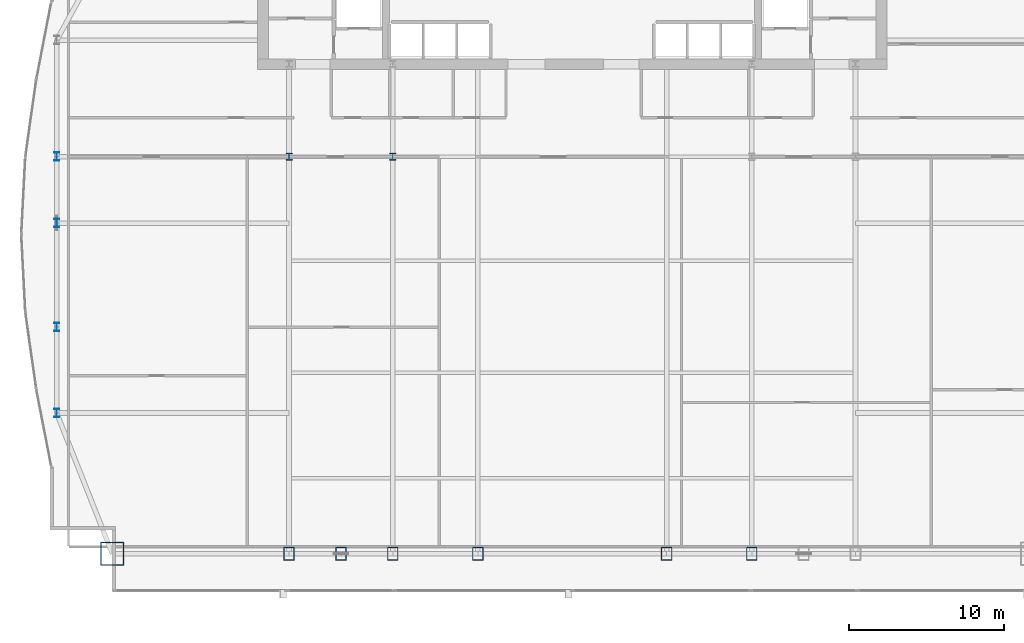
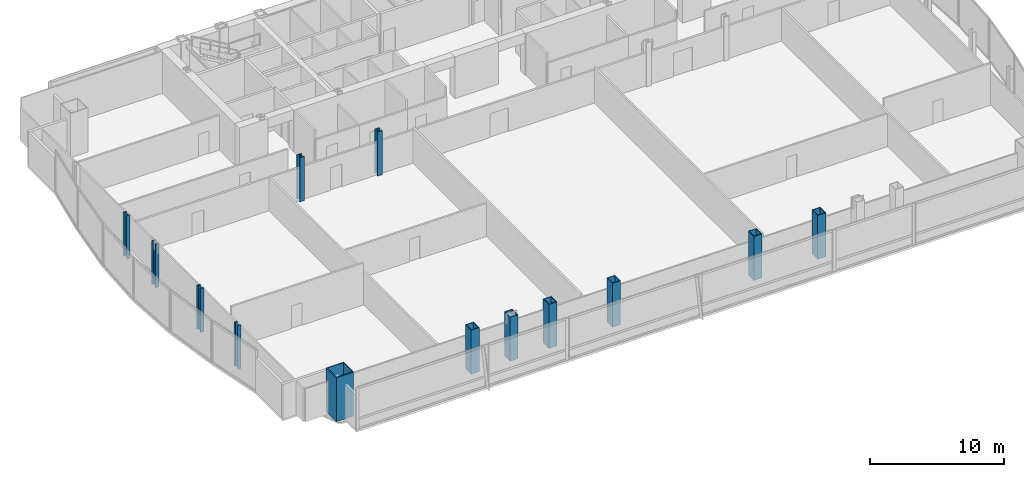
# One storey, part 1 of 34: 13 columns.
"""IFC4 building model written with IfcOpenShell, lengths in metres."""

from ifc_helpers import new_model, si_unit, direction, frame, origin, origin_2d, place, context, subcontext, project, spatial, hollow_rectangle, i_section, extrude, material, material_profile, profile_set, type_object, element, save


model = new_model("IFC4")

# Units and contexts
model_context = context("Model", 3, precision=1e-05, world=origin(), true_north=direction((0.0, 1.0)))
body_context = subcontext(model_context, "Body", "Model", "MODEL_VIEW")
ifc_project = project(units=[si_unit("LENGTHUNIT", "METRE"), si_unit("AREAUNIT", "SQUARE_METRE"), si_unit("VOLUMEUNIT", "CUBIC_METRE"), si_unit("PLANEANGLEUNIT", "RADIAN"), si_unit("MASSUNIT", "GRAM", prefix="KILO")], contexts=[model_context])

# Site, building, storey
site_placement = place(None, origin())
site = spatial("IfcSite", under=ifc_project, at=site_placement, CompositionType="ELEMENT")
building_placement = place(site_placement, origin())
building = spatial("IfcBuilding", under=site, at=building_placement, Name="Khoronbel Lancet Exchange", CompositionType="ELEMENT")
storey_placement = place(building_placement, frame((0.0, 0.0, 102.60009765625)))
storey = spatial("IfcBuildingStorey", under=building, at=storey_placement, Name="L24", CompositionType="ELEMENT", Elevation=102.60009765625)

# Columns
ifc_material_1 = material(Name="Steel S460", Category="steel")
ifc_material_profile_1 = material_profile(ifc_material_1, hollow_rectangle(XDim=0.699951171875, YDim=0.85009765625, WallThickness=0.050048828125, at=origin_2d()), Name="BOX 850x700x50")
ifc_profile_set_1 = profile_set([ifc_material_profile_1], Name="Steel S460")
column_type_1 = type_object("IfcColumnType", Name="COL-EC2", PredefinedType="COLUMN", material=ifc_profile_set_1)
for number, where, z_axis, x_axis, name in (
    (1, (18.22509765625, 10.14990234375, 0.0), (0.0, 0.0, 1.0), (1.0, 0.0, 0.0), "Structural column SC-W1 L24"),
    (2, (21.5625, 10.14990234375, 0.0), (0.0, 0.0, 1.0), (1.0, 0.0, 0.0), "Structural column SC-WM L24"),
    (3, (24.89990234375, 10.14990234375, 0.0), (0.0, 0.0, 1.0), (1.0, 0.0, 0.0), "Structural column SC-W2 L24"),
    (4, (30.375, 10.14990234375, 0.0), (0.0, 0.0, 1.0), (1.0, 0.0, 0.0), "Structural column SC-C1 L24"),
    (5, (42.52490234375, 10.14990234375, 0.0), (0.0, 0.0, 1.0), (1.0, 0.0, 0.0), "Structural column SC-C2 L24"),
    (6, (48.0, 10.14990234375, 0.0), (0.0, 0.0, 1.0), (1.0, 0.0, 0.0), "Structural column SC-E1 L24"),
):
    element("IfcColumn", number, at=place(storey_placement, frame(where, z_axis=z_axis, x_axis=x_axis)), inside=storey, type_object=column_type_1, Name=name, PredefinedType="COLUMN", context=body_context, shape_type="SweptSolid", body=[
        extrude(hollow_rectangle(XDim=0.699951171875, YDim=0.85009765625, WallThickness=0.050048828125, at=origin_2d()), origin(), (0.0, 0.0, 1.0), 4.0),
    ])
ifc_material_profile_2 = material_profile(ifc_material_1, i_section(OverallWidth=0.424072265625, OverallDepth=0.47412109375, WebThickness=0.047607421875, FlangeThickness=0.076904296875, at=origin_2d()), Name="HD 400x634")
ifc_profile_set_2 = profile_set([ifc_material_profile_2], Name="Steel S460")
column_type_2 = type_object("IfcColumnType", Name="COL-IC1", PredefinedType="COLUMN", material=ifc_profile_set_2)
for number, where, z_axis, x_axis, name in (
    (7, (18.22509765625, 35.699951171875, 0.0), (0.0, 0.0, 1.0), (1.0, 0.0, 0.0), "Spine gravity column TC1 L24"),
    (8, (24.89990234375, 35.699951171875, 0.0), (0.0, 0.0, 1.0), (1.0, 0.0, 0.0), "Spine gravity column TC2 L24"),
):
    element("IfcColumn", number, at=place(storey_placement, frame(where, z_axis=z_axis, x_axis=x_axis)), inside=storey, type_object=column_type_2, Name=name, PredefinedType="COLUMN", context=body_context, shape_type="SweptSolid", body=[
        extrude(i_section(OverallWidth=0.424072265625, OverallDepth=0.47412109375, WebThickness=0.047607421875, FlangeThickness=0.076904296875, at=origin_2d()), origin(), (0.0, 0.0, 1.0), 4.0),
    ])
ifc_material_2 = material(Name="Steel S355", Category="steel")
ifc_material_profile_3 = material_profile(ifc_material_2, i_section(OverallWidth=0.300048828125, OverallDepth=0.550048828125, WebThickness=0.014892578125, FlangeThickness=0.029052734375, at=origin_2d()), Name="HEB 550")
ifc_profile_set_3 = profile_set([ifc_material_profile_3], Name="Steel S355")
column_type_3 = type_object("IfcColumnType", Name="COL-LC1", PredefinedType="COLUMN", material=ifc_profile_set_3)
for number, where, z_axis, x_axis, name in (
    (9, (3.27001953125, 19.199951171875, 0.0), (0.0, 0.0, 1.0), (1.0, 0.0, 0.0), "Structural column WC-1 L24"),
    (10, (3.27001953125, 24.75, 0.0), (0.0, 0.0, 1.0), (1.0, 0.0, 0.0), "Structural column WC-2 L24"),
    (11, (3.27001953125, 31.425048828125, 0.0), (0.0, 0.0, 1.0), (1.0, 0.0, 0.0), "Structural column WC-M L24"),
    (12, (3.27001953125, 35.699951171875, 0.0), (0.0, 0.0, 1.0), (1.0, 0.0, 0.0), "Structural column WC-3 L24"),
):
    element("IfcColumn", number, at=place(storey_placement, frame(where, z_axis=z_axis, x_axis=x_axis)), inside=storey, type_object=column_type_3, Name=name, PredefinedType="COLUMN", context=body_context, shape_type="SweptSolid", body=[
        extrude(i_section(OverallWidth=0.300048828125, OverallDepth=0.550048828125, WebThickness=0.014892578125, FlangeThickness=0.029052734375, at=origin_2d()), origin(), (0.0, 0.0, 1.0), 4.0),
    ])
ifc_material_profile_4 = material_profile(ifc_material_1, hollow_rectangle(XDim=1.5, YDim=1.5, WallThickness=0.070068359375, at=origin_2d()), Name="BOX 1500x1500x70")
ifc_profile_set_4 = profile_set([ifc_material_profile_4], Name="Steel S460")
column_type_4 = type_object("IfcColumnType", Name="COL-MC3", PredefinedType="COLUMN", material=ifc_profile_set_4)
column_placement = place(storey_placement, frame((6.85009765625, 10.14990234375, 0.0), z_axis=(0.0, 0.0, 1.0), x_axis=(1.0, 0.0, 0.0)))
element("IfcColumn", 13, at=column_placement, inside=storey, type_object=column_type_4, Name="Structural column MC-SW L24", PredefinedType="COLUMN", context=body_context, shape_type="SweptSolid", body=[
    extrude(hollow_rectangle(XDim=1.5, YDim=1.5, WallThickness=0.070068359375, at=origin_2d()), origin(), (0.0, 0.0, 1.0), 4.0),
])

save(model, "model.ifc")
